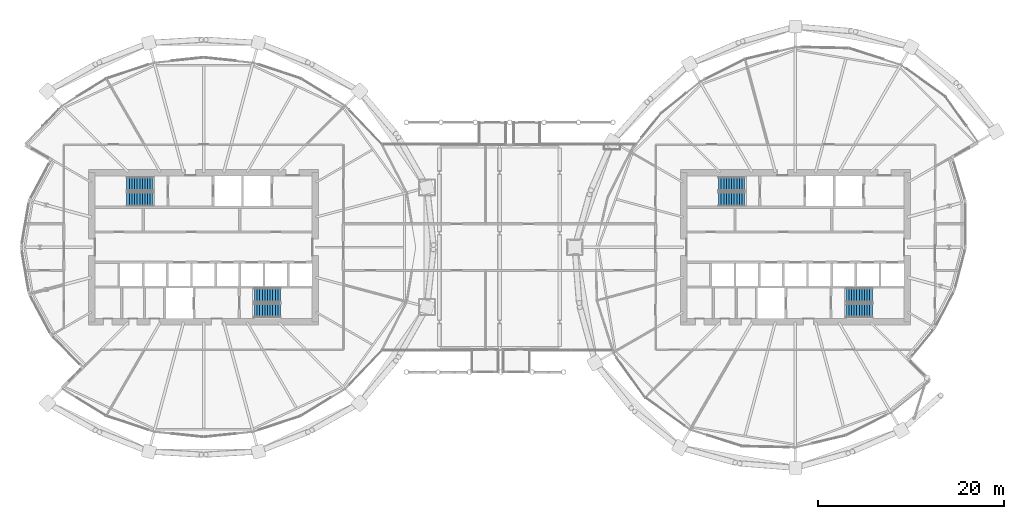
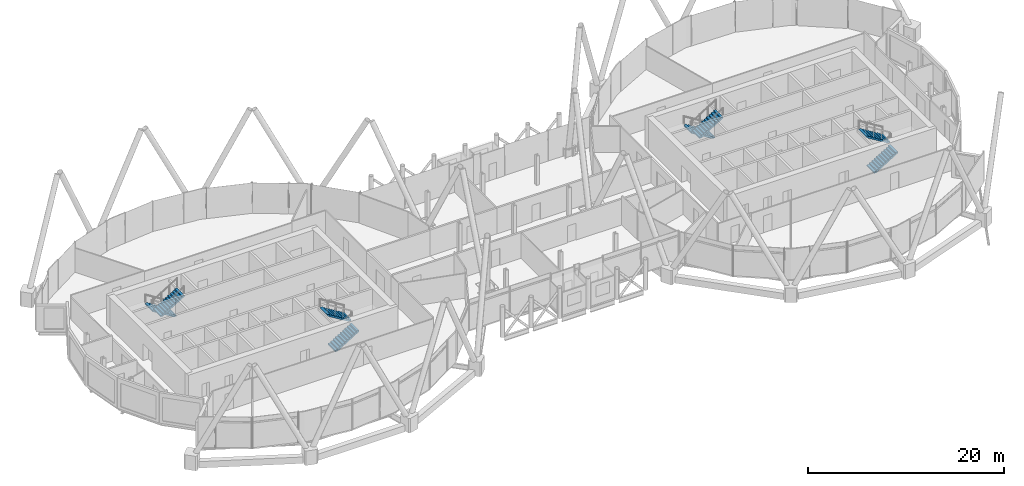
# One storey, part 30 of 35: 8 stair flights, 4 elements without a shape of their own.
"""IFC4 building model written with IfcOpenShell, lengths in metres."""

from ifc_helpers import new_model, si_unit, direction, frame, origin, place, context, subcontext, project, spatial, polyline, outline, extrude, material, type_object, element, aggregate, save


model = new_model("IFC4")

# Units and contexts
model_context = context("Model", 3, precision=1e-05, world=origin(), true_north=direction((0.0, 1.0)))
body_context = subcontext(model_context, "Body", "Model", "MODEL_VIEW")
ifc_project = project(units=[si_unit("LENGTHUNIT", "METRE"), si_unit("AREAUNIT", "SQUARE_METRE"), si_unit("VOLUMEUNIT", "CUBIC_METRE"), si_unit("PLANEANGLEUNIT", "RADIAN"), si_unit("MASSUNIT", "GRAM", prefix="KILO")], contexts=[model_context])

# Site, building, storey
site_placement = place(None, origin())
site = spatial("IfcSite", under=ifc_project, at=site_placement, CompositionType="ELEMENT")
building_placement = place(site_placement, origin())
building = spatial("IfcBuilding", under=site, at=building_placement, Name="Rimbun Link Towers", CompositionType="ELEMENT")
storey_placement = place(building_placement, frame((0.0, 0.0, 146.800048828125)))
storey = spatial("IfcBuildingStorey", under=building, at=storey_placement, Name="L35", CompositionType="ELEMENT", Elevation=146.800048828125)

# Stair, stair flights
ifc_material_1 = material(Name="Concrete C40/50", Category="concrete")
stair_type = type_object("IfcStairType", Name="Exit stair 3800 rise", PredefinedType="HALF_TURN_STAIR", material=ifc_material_1)
stair_1_placement = place(storey_placement, origin())
stair_1 = element("IfcStair", 1, at=stair_1_placement, inside=storey, type_object=stair_type, Name="L35 EXIT STAIR A", PredefinedType="HALF_TURN_STAIR")
ifc_material_2 = material(Name="Concrete C40/50", Category="concrete")
stair_flight_type = type_object("IfcStairFlightType", Name="Exit stair flight 3800 rise", PredefinedType="STRAIGHT", material=ifc_material_2)
stair_flight_1_placement = place(storey_placement, frame((-37.199951171875, 6.800048828125, 0.0), z_axis=(0.0, 0.0, 1.0), x_axis=(-1.0, 0.0, 0.0)))
stair_flight_1 = element("IfcStairFlight", 2, at=stair_flight_1_placement, type_object=stair_flight_type, Name="ST1 flight 1", NumberOfRisers=11, NumberOfTreads=10, PredefinedType="STRAIGHT", RiserHeight=0.172727273, TreadLength=0.28, context=body_context, shape_type="SweptSolid", body=[
    extrude(outline(polyline([(0.0, 0.0), (0.0, 0.172607421875), (0.280029296875, 0.172607421875), (0.280029296875, 0.345458984375), (0.56005859375, 0.345458984375), (0.56005859375, 0.51806640625), (0.840087890625, 0.51806640625), (0.840087890625, 0.69091796875), (1.1201171875, 0.69091796875), (1.1201171875, 0.863525390625), (1.39990234375, 0.863525390625), (1.39990234375, 1.036376953125), (1.679931640625, 1.036376953125), (1.679931640625, 1.208984375), (1.9599609375, 1.208984375), (1.9599609375, 1.3818359375), (2.239990234375, 1.3818359375), (2.239990234375, 1.554443359375), (2.52001953125, 1.554443359375), (2.52001953125, 1.727294921875), (2.800048828125, 1.727294921875), (2.800048828125, 1.89990234375), (2.800048828125, 1.551025390625), (0.280029296875, 0.0), (0.0, 0.0)])), frame((0.0, 0.75, 0.0), z_axis=(0.0, -1.0, 0.0), x_axis=(1.0, 0.0, 0.0)), (0.0, 0.0, 1.0), 1.5),
])
stair_flight_2_placement = place(storey_placement, frame((-40.0, 5.14990234375, 1.89990234375), z_axis=(0.0, 0.0, 1.0), x_axis=(1.0, 0.0, 0.0)))
stair_flight_2 = element("IfcStairFlight", 3, at=stair_flight_2_placement, type_object=stair_flight_type, Name="ST1 flight 2", NumberOfRisers=11, NumberOfTreads=10, PredefinedType="STRAIGHT", RiserHeight=0.172727273, TreadLength=0.28, context=body_context, shape_type="SweptSolid", body=[
    extrude(outline(polyline([(0.0, 0.0), (0.0, 0.172607421875), (0.280029296875, 0.172607421875), (0.280029296875, 0.345458984375), (0.56005859375, 0.345458984375), (0.56005859375, 0.51806640625), (0.840087890625, 0.51806640625), (0.840087890625, 0.69091796875), (1.1201171875, 0.69091796875), (1.1201171875, 0.863525390625), (1.39990234375, 0.863525390625), (1.39990234375, 1.036376953125), (1.679931640625, 1.036376953125), (1.679931640625, 1.208984375), (1.9599609375, 1.208984375), (1.9599609375, 1.3818359375), (2.239990234375, 1.3818359375), (2.239990234375, 1.554443359375), (2.52001953125, 1.554443359375), (2.52001953125, 1.727294921875), (2.800048828125, 1.727294921875), (2.800048828125, 1.89990234375), (2.800048828125, 1.551025390625), (0.280029296875, 0.0), (0.0, 0.0)])), frame((0.0, 0.75, 0.0), z_axis=(0.0, -1.0, 0.0), x_axis=(1.0, 0.0, 0.0)), (0.0, 0.0, 1.0), 1.5),
])
aggregate(stair_1, [stair_flight_1, stair_flight_2])

stair_2_placement = place(storey_placement, origin())
stair_2 = element("IfcStair", 4, at=stair_2_placement, inside=storey, type_object=stair_type, Name="L35 EXIT STAIR B", PredefinedType="HALF_TURN_STAIR")
stair_flight_3_placement = place(storey_placement, frame((-26.300048828125, -6.800048828125, 0.0), z_axis=(0.0, 0.0, 1.0), x_axis=(1.0, 0.0, 0.0)))
stair_flight_3 = element("IfcStairFlight", 5, at=stair_flight_3_placement, type_object=stair_flight_type, Name="ST2 flight 1", NumberOfRisers=11, NumberOfTreads=10, PredefinedType="STRAIGHT", RiserHeight=0.172727273, TreadLength=0.28, context=body_context, shape_type="SweptSolid", body=[
    extrude(outline(polyline([(0.0, 0.0), (0.0, 0.172607421875), (0.280029296875, 0.172607421875), (0.280029296875, 0.345458984375), (0.56005859375, 0.345458984375), (0.56005859375, 0.51806640625), (0.840087890625, 0.51806640625), (0.840087890625, 0.69091796875), (1.1201171875, 0.69091796875), (1.1201171875, 0.863525390625), (1.39990234375, 0.863525390625), (1.39990234375, 1.036376953125), (1.679931640625, 1.036376953125), (1.679931640625, 1.208984375), (1.9599609375, 1.208984375), (1.9599609375, 1.3818359375), (2.239990234375, 1.3818359375), (2.239990234375, 1.554443359375), (2.52001953125, 1.554443359375), (2.52001953125, 1.727294921875), (2.800048828125, 1.727294921875), (2.800048828125, 1.89990234375), (2.800048828125, 1.551025390625), (0.280029296875, 0.0), (0.0, 0.0)])), frame((0.0, 0.75, 0.0), z_axis=(0.0, -1.0, 0.0), x_axis=(1.0, 0.0, 0.0)), (0.0, 0.0, 1.0), 1.5),
])
stair_flight_4_placement = place(storey_placement, frame((-23.5, -5.14990234375, 1.89990234375), z_axis=(0.0, 0.0, 1.0), x_axis=(-1.0, 0.0, 0.0)))
stair_flight_4 = element("IfcStairFlight", 6, at=stair_flight_4_placement, type_object=stair_flight_type, Name="ST2 flight 2", NumberOfRisers=11, NumberOfTreads=10, PredefinedType="STRAIGHT", RiserHeight=0.172727273, TreadLength=0.28, context=body_context, shape_type="SweptSolid", body=[
    extrude(outline(polyline([(0.0, 0.0), (0.0, 0.172607421875), (0.280029296875, 0.172607421875), (0.280029296875, 0.345458984375), (0.56005859375, 0.345458984375), (0.56005859375, 0.51806640625), (0.840087890625, 0.51806640625), (0.840087890625, 0.69091796875), (1.1201171875, 0.69091796875), (1.1201171875, 0.863525390625), (1.39990234375, 0.863525390625), (1.39990234375, 1.036376953125), (1.679931640625, 1.036376953125), (1.679931640625, 1.208984375), (1.9599609375, 1.208984375), (1.9599609375, 1.3818359375), (2.239990234375, 1.3818359375), (2.239990234375, 1.554443359375), (2.52001953125, 1.554443359375), (2.52001953125, 1.727294921875), (2.800048828125, 1.727294921875), (2.800048828125, 1.89990234375), (2.800048828125, 1.551025390625), (0.280029296875, 0.0), (0.0, 0.0)])), frame((0.0, 0.75, 0.0), z_axis=(0.0, -1.0, 0.0), x_axis=(1.0, 0.0, 0.0)), (0.0, 0.0, 1.0), 1.5),
])
aggregate(stair_2, [stair_flight_3, stair_flight_4])

stair_3_placement = place(storey_placement, origin())
stair_3 = element("IfcStair", 7, at=stair_3_placement, inside=storey, type_object=stair_type, Name="L35 EXIT STAIR A", PredefinedType="HALF_TURN_STAIR")
stair_flight_5_placement = place(storey_placement, frame((26.300048828125, 6.800048828125, 0.0), z_axis=(0.0, 0.0, 1.0), x_axis=(-1.0, 0.0, 0.0)))
stair_flight_5 = element("IfcStairFlight", 8, at=stair_flight_5_placement, type_object=stair_flight_type, Name="ST3 flight 1", NumberOfRisers=11, NumberOfTreads=10, PredefinedType="STRAIGHT", RiserHeight=0.172727273, TreadLength=0.28, context=body_context, shape_type="SweptSolid", body=[
    extrude(outline(polyline([(0.0, 0.0), (0.0, 0.172607421875), (0.280029296875, 0.172607421875), (0.280029296875, 0.345458984375), (0.56005859375, 0.345458984375), (0.56005859375, 0.51806640625), (0.840087890625, 0.51806640625), (0.840087890625, 0.69091796875), (1.1201171875, 0.69091796875), (1.1201171875, 0.863525390625), (1.39990234375, 0.863525390625), (1.39990234375, 1.036376953125), (1.679931640625, 1.036376953125), (1.679931640625, 1.208984375), (1.9599609375, 1.208984375), (1.9599609375, 1.3818359375), (2.239990234375, 1.3818359375), (2.239990234375, 1.554443359375), (2.52001953125, 1.554443359375), (2.52001953125, 1.727294921875), (2.800048828125, 1.727294921875), (2.800048828125, 1.89990234375), (2.800048828125, 1.551025390625), (0.280029296875, 0.0), (0.0, 0.0)])), frame((0.0, 0.75, 0.0), z_axis=(0.0, -1.0, 0.0), x_axis=(1.0, 0.0, 0.0)), (0.0, 0.0, 1.0), 1.5),
])
stair_flight_6_placement = place(storey_placement, frame((23.5, 5.14990234375, 1.89990234375), z_axis=(0.0, 0.0, 1.0), x_axis=(1.0, 0.0, 0.0)))
stair_flight_6 = element("IfcStairFlight", 9, at=stair_flight_6_placement, type_object=stair_flight_type, Name="ST3 flight 2", NumberOfRisers=11, NumberOfTreads=10, PredefinedType="STRAIGHT", RiserHeight=0.172727273, TreadLength=0.28, context=body_context, shape_type="SweptSolid", body=[
    extrude(outline(polyline([(0.0, 0.0), (0.0, 0.172607421875), (0.280029296875, 0.172607421875), (0.280029296875, 0.345458984375), (0.56005859375, 0.345458984375), (0.56005859375, 0.51806640625), (0.840087890625, 0.51806640625), (0.840087890625, 0.69091796875), (1.1201171875, 0.69091796875), (1.1201171875, 0.863525390625), (1.39990234375, 0.863525390625), (1.39990234375, 1.036376953125), (1.679931640625, 1.036376953125), (1.679931640625, 1.208984375), (1.9599609375, 1.208984375), (1.9599609375, 1.3818359375), (2.239990234375, 1.3818359375), (2.239990234375, 1.554443359375), (2.52001953125, 1.554443359375), (2.52001953125, 1.727294921875), (2.800048828125, 1.727294921875), (2.800048828125, 1.89990234375), (2.800048828125, 1.551025390625), (0.280029296875, 0.0), (0.0, 0.0)])), frame((0.0, 0.75, 0.0), z_axis=(0.0, -1.0, 0.0), x_axis=(1.0, 0.0, 0.0)), (0.0, 0.0, 1.0), 1.5),
])
aggregate(stair_3, [stair_flight_5, stair_flight_6])

stair_4_placement = place(storey_placement, origin())
stair_4 = element("IfcStair", 10, at=stair_4_placement, inside=storey, type_object=stair_type, Name="L35 EXIT STAIR B", PredefinedType="HALF_TURN_STAIR")
stair_flight_7_placement = place(storey_placement, frame((37.199951171875, -6.800048828125, 0.0), z_axis=(0.0, 0.0, 1.0), x_axis=(1.0, 0.0, 0.0)))
stair_flight_7 = element("IfcStairFlight", 11, at=stair_flight_7_placement, type_object=stair_flight_type, Name="ST4 flight 1", NumberOfRisers=11, NumberOfTreads=10, PredefinedType="STRAIGHT", RiserHeight=0.172727273, TreadLength=0.28, context=body_context, shape_type="SweptSolid", body=[
    extrude(outline(polyline([(0.0, 0.0), (0.0, 0.172607421875), (0.280029296875, 0.172607421875), (0.280029296875, 0.345458984375), (0.56005859375, 0.345458984375), (0.56005859375, 0.51806640625), (0.840087890625, 0.51806640625), (0.840087890625, 0.69091796875), (1.1201171875, 0.69091796875), (1.1201171875, 0.863525390625), (1.39990234375, 0.863525390625), (1.39990234375, 1.036376953125), (1.679931640625, 1.036376953125), (1.679931640625, 1.208984375), (1.9599609375, 1.208984375), (1.9599609375, 1.3818359375), (2.239990234375, 1.3818359375), (2.239990234375, 1.554443359375), (2.52001953125, 1.554443359375), (2.52001953125, 1.727294921875), (2.800048828125, 1.727294921875), (2.800048828125, 1.89990234375), (2.800048828125, 1.551025390625), (0.280029296875, 0.0), (0.0, 0.0)])), frame((0.0, 0.75, 0.0), z_axis=(0.0, -1.0, 0.0), x_axis=(1.0, 0.0, 0.0)), (0.0, 0.0, 1.0), 1.5),
])
stair_flight_8_placement = place(storey_placement, frame((40.0, -5.14990234375, 1.89990234375), z_axis=(0.0, 0.0, 1.0), x_axis=(-1.0, 0.0, 0.0)))
stair_flight_8 = element("IfcStairFlight", 12, at=stair_flight_8_placement, type_object=stair_flight_type, Name="ST4 flight 2", NumberOfRisers=11, NumberOfTreads=10, PredefinedType="STRAIGHT", RiserHeight=0.172727273, TreadLength=0.28, context=body_context, shape_type="SweptSolid", body=[
    extrude(outline(polyline([(0.0, 0.0), (0.0, 0.172607421875), (0.280029296875, 0.172607421875), (0.280029296875, 0.345458984375), (0.56005859375, 0.345458984375), (0.56005859375, 0.51806640625), (0.840087890625, 0.51806640625), (0.840087890625, 0.69091796875), (1.1201171875, 0.69091796875), (1.1201171875, 0.863525390625), (1.39990234375, 0.863525390625), (1.39990234375, 1.036376953125), (1.679931640625, 1.036376953125), (1.679931640625, 1.208984375), (1.9599609375, 1.208984375), (1.9599609375, 1.3818359375), (2.239990234375, 1.3818359375), (2.239990234375, 1.554443359375), (2.52001953125, 1.554443359375), (2.52001953125, 1.727294921875), (2.800048828125, 1.727294921875), (2.800048828125, 1.89990234375), (2.800048828125, 1.551025390625), (0.280029296875, 0.0), (0.0, 0.0)])), frame((0.0, 0.75, 0.0), z_axis=(0.0, -1.0, 0.0), x_axis=(1.0, 0.0, 0.0)), (0.0, 0.0, 1.0), 1.5),
])
aggregate(stair_4, [stair_flight_7, stair_flight_8])

save(model, "model.ifc")
